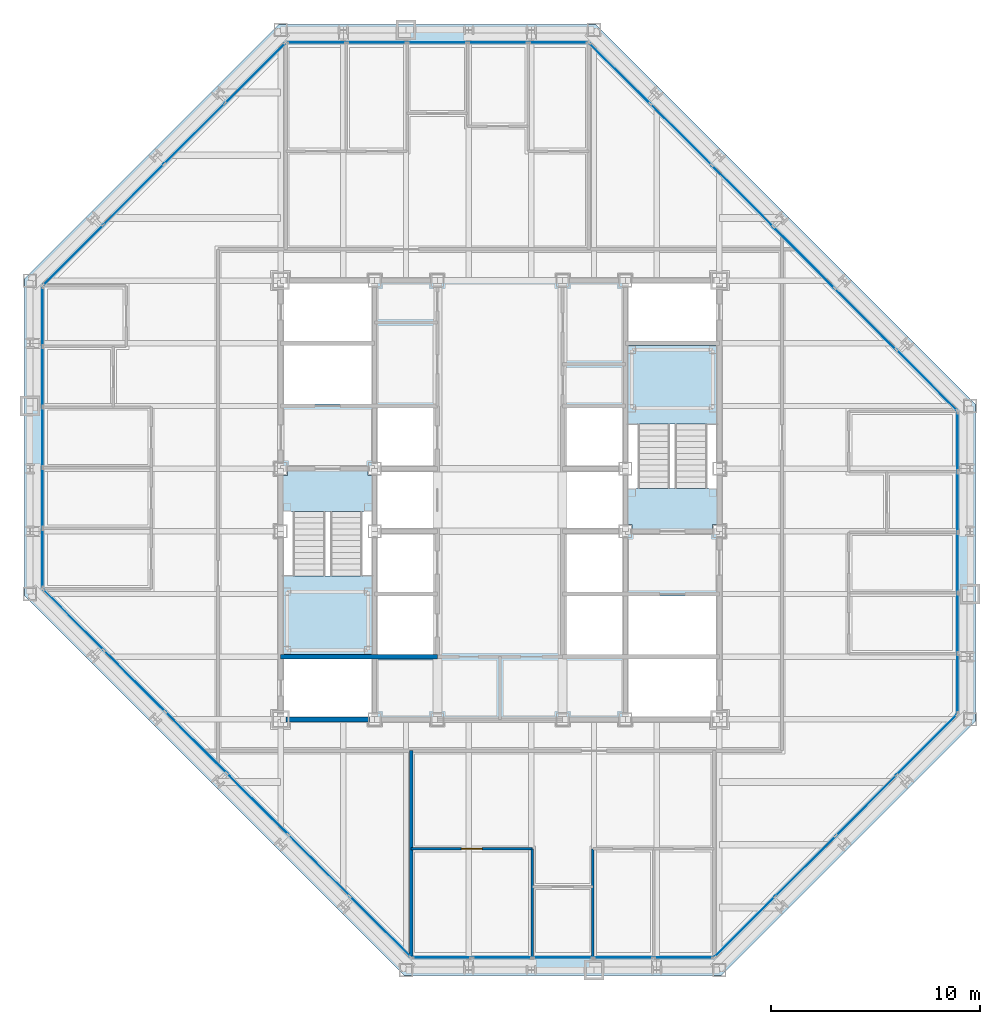
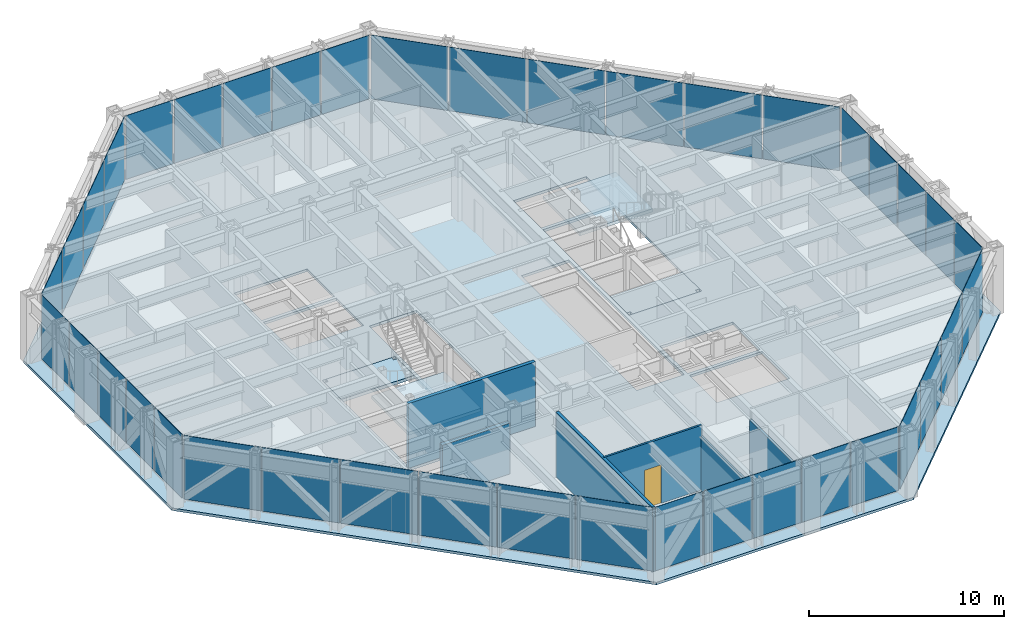
# One storey, part 9 of 15: 40 plates, 6 walls, 5 slabs, 1 door, 1 opening, 10 elements without a shape of their own.
"""IFC4 building model written with IfcOpenShell, lengths in metres."""

from ifc_helpers import new_model, si_unit, direction, frame, frame_2d, origin, origin_2d, place, context, subcontext, project, spatial, polyline, rectangle, outline, extrude, material, layer, layer_set, type_object, element, fill, aggregate, save


model = new_model("IFC4")

# Units and contexts
model_context = context("Model", 3, precision=1e-05, world=origin(), true_north=direction((0.0, 1.0)))
body_context = subcontext(model_context, "Body", "Model", "MODEL_VIEW")
ifc_project = project(units=[si_unit("LENGTHUNIT", "METRE"), si_unit("AREAUNIT", "SQUARE_METRE"), si_unit("VOLUMEUNIT", "CUBIC_METRE"), si_unit("PLANEANGLEUNIT", "RADIAN"), si_unit("MASSUNIT", "GRAM", prefix="KILO")], contexts=[model_context])

# Site, building, storey
site_placement = place(None, origin())
site = spatial("IfcSite", under=ifc_project, at=site_placement, CompositionType="ELEMENT")
building_placement = place(site_placement, origin())
building = spatial("IfcBuilding", under=site, at=building_placement, Name="Chuquiago Exchange Tower", CompositionType="ELEMENT")
storey_placement = place(building_placement, frame((0.0, 0.0, 197.10009765625)))
storey = spatial("IfcBuildingStorey", under=building, at=storey_placement, Name="L43", CompositionType="ELEMENT", Elevation=197.10009765625)

# Curtain wall, plate
ifc_material_1 = material(Name="Aluminium curtain wall system", Category="aluminium")
ifc_layer_1 = layer(ifc_material_1, 0.22509765625)
ifc_layer_set_1 = layer_set([ifc_layer_1], Name="CW2 office curtain wall")
curtain_wall_type_1 = type_object("IfcCurtainWallType", Name="CW2 office curtain wall", PredefinedType="NOTDEFINED", material=ifc_layer_set_1)
curtain_wall_1_placement = place(storey_placement, origin())
curtain_wall_1 = element("IfcCurtainWall", 1, at=curtain_wall_1_placement, inside=storey, type_object=curtain_wall_type_1, Name="CW2 curtain wall L43", PredefinedType="NOTDEFINED")
ifc_material_2 = material(Name="Glass, insulating unit", Category="glass")
ifc_layer_2 = layer(ifc_material_2, 0.030029296875)
ifc_layer_set_2 = layer_set([ifc_layer_2], Name="CW2-P panel 30")
plate_type_1 = type_object("IfcPlateType", Name="CW2-P panel 30", PredefinedType="CURTAIN_PANEL", material=ifc_layer_set_2)
plate_1_placement = place(storey_placement, frame((25.5, 0.60009765625, 0.06494140625), z_axis=(0.0, 0.0, 1.0), x_axis=(1.0, 0.0, 0.0)))
plate_1 = element("IfcPlate", 2, at=plate_1_placement, type_object=plate_type_1, Name="CW2 panel 3.1", PredefinedType="CURTAIN_PANEL", context=body_context, shape_type="SweptSolid", body=[
    extrude(rectangle(XDim=2.835693359375, YDim=0.030029296875, at=origin_2d()), origin(), (0.0, 0.0, 1.0), 3.97509765625),
])

curtain_wall_2_placement = place(storey_placement, origin())
curtain_wall_2 = element("IfcCurtainWall", 3, at=curtain_wall_2_placement, inside=storey, type_object=curtain_wall_type_1, Name="CW2 curtain wall L43", PredefinedType="NOTDEFINED")
plate_2_placement = place(storey_placement, frame((44.39990234375, 19.5, 0.06494140625), z_axis=(0.0, 0.0, 1.0), x_axis=(0.0, 1.0, 0.0)))
plate_2 = element("IfcPlate", 4, at=plate_2_placement, type_object=plate_type_1, Name="CW2 panel 3.1", PredefinedType="CURTAIN_PANEL", context=body_context, shape_type="SweptSolid", body=[
    extrude(rectangle(XDim=2.835693359375, YDim=0.030029296875, at=origin_2d()), origin(), (0.0, 0.0, 1.0), 3.97509765625),
])

curtain_wall_3_placement = place(storey_placement, origin())
curtain_wall_3 = element("IfcCurtainWall", 5, at=curtain_wall_3_placement, inside=storey, type_object=curtain_wall_type_1, Name="CW2 curtain wall L43", PredefinedType="NOTDEFINED")
plate_3_placement = place(storey_placement, frame((19.5, 44.39990234375, 0.06494140625), z_axis=(0.0, 0.0, 1.0), x_axis=(-1.0, 0.0, 0.0)))
plate_3 = element("IfcPlate", 6, at=plate_3_placement, type_object=plate_type_1, Name="CW2 panel 3.1", PredefinedType="CURTAIN_PANEL", context=body_context, shape_type="SweptSolid", body=[
    extrude(rectangle(XDim=2.835693359375, YDim=0.030029296875, at=origin_2d()), origin(), (0.0, 0.0, 1.0), 3.97509765625),
])

curtain_wall_4_placement = place(storey_placement, origin())
curtain_wall_4 = element("IfcCurtainWall", 7, at=curtain_wall_4_placement, inside=storey, type_object=curtain_wall_type_1, Name="CW2 curtain wall L43", PredefinedType="NOTDEFINED")
plate_4_placement = place(storey_placement, frame((0.60009765625, 25.5, 0.06494140625), z_axis=(0.0, 0.0, 1.0), x_axis=(0.0, -1.0, 0.0)))
plate_4 = element("IfcPlate", 8, at=plate_4_placement, type_object=plate_type_1, Name="CW2 panel 3.1", PredefinedType="CURTAIN_PANEL", context=body_context, shape_type="SweptSolid", body=[
    extrude(rectangle(XDim=2.835693359375, YDim=0.030029296875, at=origin_2d()), origin(), (0.0, 0.0, 1.0), 3.97509765625),
])

# Plate
ifc_material_3 = material(Name="Insulated spandrel panel, pale anodised aluminium", Category="aluminium")
ifc_layer_3 = layer(ifc_material_3, 0.030029296875)
ifc_layer_set_3 = layer_set([ifc_layer_3], Name="CW2-P spandrel panel 30")
plate_type_2 = type_object("IfcPlateType", Name="CW2-P spandrel panel 30", PredefinedType="CURTAIN_PANEL", material=ifc_layer_set_3)
plate_5_placement = place(storey_placement, frame((19.715087890625, 0.60009765625, 0.06494140625), z_axis=(0.0, 0.0, 1.0), x_axis=(1.0, 0.0, 0.0)))
plate_5 = element("IfcPlate", 9, at=plate_5_placement, type_object=plate_type_2, Name="CW2 panel 1.1", PredefinedType="CURTAIN_PANEL", context=body_context, shape_type="SweptSolid", body=[
    extrude(rectangle(XDim=2.802978515625, YDim=0.030029296875, at=origin_2d()), origin(), (0.0, 0.0, 1.0), 3.97509765625),
])

plate_6_placement = place(storey_placement, frame((22.599365234375, 0.60009765625, 0.06494140625), z_axis=(0.0, 0.0, 1.0), x_axis=(1.0, 0.0, 0.0)))
plate_6 = element("IfcPlate", 10, at=plate_6_placement, type_object=plate_type_2, Name="CW2 panel 2.1", PredefinedType="CURTAIN_PANEL", context=body_context, shape_type="SweptSolid", body=[
    extrude(rectangle(XDim=2.835693359375, YDim=0.030029296875, at=origin_2d()), origin(), (0.0, 0.0, 1.0), 3.97509765625),
])

plate_7_placement = place(storey_placement, frame((28.400634765625, 0.60009765625, 0.06494140625), z_axis=(0.0, 0.0, 1.0), x_axis=(1.0, 0.0, 0.0)))
plate_7 = element("IfcPlate", 11, at=plate_7_placement, type_object=plate_type_2, Name="CW2 panel 4.1", PredefinedType="CURTAIN_PANEL", context=body_context, shape_type="SweptSolid", body=[
    extrude(rectangle(XDim=2.835693359375, YDim=0.030029296875, at=origin_2d()), origin(), (0.0, 0.0, 1.0), 3.97509765625),
])

plate_8_placement = place(storey_placement, frame((31.284912109375, 0.60009765625, 0.06494140625), z_axis=(0.0, 0.0, 1.0), x_axis=(1.0, 0.0, 0.0)))
plate_8 = element("IfcPlate", 12, at=plate_8_placement, type_object=plate_type_2, Name="CW2 panel 5.1", PredefinedType="CURTAIN_PANEL", context=body_context, shape_type="SweptSolid", body=[
    extrude(rectangle(XDim=2.802978515625, YDim=0.030029296875, at=origin_2d()), origin(), (0.0, 0.0, 1.0), 3.97509765625),
])

aggregate(curtain_wall_1, [plate_5, plate_6, plate_1, plate_7, plate_8])

plate_9_placement = place(storey_placement, frame((44.39990234375, 13.715087890625, 0.06494140625), z_axis=(0.0, 0.0, 1.0), x_axis=(0.0, 1.0, 0.0)))
plate_9 = element("IfcPlate", 13, at=plate_9_placement, type_object=plate_type_2, Name="CW2 panel 1.1", PredefinedType="CURTAIN_PANEL", context=body_context, shape_type="SweptSolid", body=[
    extrude(rectangle(XDim=2.802978515625, YDim=0.030029296875, at=origin_2d()), origin(), (0.0, 0.0, 1.0), 3.97509765625),
])

plate_10_placement = place(storey_placement, frame((44.39990234375, 16.599365234375, 0.06494140625), z_axis=(0.0, 0.0, 1.0), x_axis=(0.0, 1.0, 0.0)))
plate_10 = element("IfcPlate", 14, at=plate_10_placement, type_object=plate_type_2, Name="CW2 panel 2.1", PredefinedType="CURTAIN_PANEL", context=body_context, shape_type="SweptSolid", body=[
    extrude(rectangle(XDim=2.835693359375, YDim=0.030029296875, at=origin_2d()), origin(), (0.0, 0.0, 1.0), 3.97509765625),
])

plate_11_placement = place(storey_placement, frame((44.39990234375, 22.400634765625, 0.06494140625), z_axis=(0.0, 0.0, 1.0), x_axis=(0.0, 1.0, 0.0)))
plate_11 = element("IfcPlate", 15, at=plate_11_placement, type_object=plate_type_2, Name="CW2 panel 4.1", PredefinedType="CURTAIN_PANEL", context=body_context, shape_type="SweptSolid", body=[
    extrude(rectangle(XDim=2.835693359375, YDim=0.030029296875, at=origin_2d()), origin(), (0.0, 0.0, 1.0), 3.97509765625),
])

plate_12_placement = place(storey_placement, frame((44.39990234375, 25.284912109375, 0.06494140625), z_axis=(0.0, 0.0, 1.0), x_axis=(0.0, 1.0, 0.0)))
plate_12 = element("IfcPlate", 16, at=plate_12_placement, type_object=plate_type_2, Name="CW2 panel 5.1", PredefinedType="CURTAIN_PANEL", context=body_context, shape_type="SweptSolid", body=[
    extrude(rectangle(XDim=2.802978515625, YDim=0.030029296875, at=origin_2d()), origin(), (0.0, 0.0, 1.0), 3.97509765625),
])

aggregate(curtain_wall_2, [plate_9, plate_10, plate_2, plate_11, plate_12])

plate_13_placement = place(storey_placement, frame((25.284912109375, 44.39990234375, 0.06494140625), z_axis=(0.0, 0.0, 1.0), x_axis=(-1.0, 0.0, 0.0)))
plate_13 = element("IfcPlate", 17, at=plate_13_placement, type_object=plate_type_2, Name="CW2 panel 1.1", PredefinedType="CURTAIN_PANEL", context=body_context, shape_type="SweptSolid", body=[
    extrude(rectangle(XDim=2.802978515625, YDim=0.030029296875, at=origin_2d()), origin(), (0.0, 0.0, 1.0), 3.97509765625),
])

plate_14_placement = place(storey_placement, frame((22.400634765625, 44.39990234375, 0.06494140625), z_axis=(0.0, 0.0, 1.0), x_axis=(-1.0, 0.0, 0.0)))
plate_14 = element("IfcPlate", 18, at=plate_14_placement, type_object=plate_type_2, Name="CW2 panel 2.1", PredefinedType="CURTAIN_PANEL", context=body_context, shape_type="SweptSolid", body=[
    extrude(rectangle(XDim=2.835693359375, YDim=0.030029296875, at=origin_2d()), origin(), (0.0, 0.0, 1.0), 3.97509765625),
])

plate_15_placement = place(storey_placement, frame((16.599365234375, 44.39990234375, 0.06494140625), z_axis=(0.0, 0.0, 1.0), x_axis=(-1.0, 0.0, 0.0)))
plate_15 = element("IfcPlate", 19, at=plate_15_placement, type_object=plate_type_2, Name="CW2 panel 4.1", PredefinedType="CURTAIN_PANEL", context=body_context, shape_type="SweptSolid", body=[
    extrude(rectangle(XDim=2.835693359375, YDim=0.030029296875, at=origin_2d()), origin(), (0.0, 0.0, 1.0), 3.97509765625),
])

plate_16_placement = place(storey_placement, frame((13.715087890625, 44.39990234375, 0.06494140625), z_axis=(0.0, 0.0, 1.0), x_axis=(-1.0, 0.0, 0.0)))
plate_16 = element("IfcPlate", 20, at=plate_16_placement, type_object=plate_type_2, Name="CW2 panel 5.1", PredefinedType="CURTAIN_PANEL", context=body_context, shape_type="SweptSolid", body=[
    extrude(rectangle(XDim=2.802978515625, YDim=0.030029296875, at=origin_2d()), origin(), (0.0, 0.0, 1.0), 3.97509765625),
])

aggregate(curtain_wall_3, [plate_13, plate_14, plate_3, plate_15, plate_16])

plate_17_placement = place(storey_placement, frame((0.60009765625, 31.284912109375, 0.06494140625), z_axis=(0.0, 0.0, 1.0), x_axis=(0.0, -1.0, 0.0)))
plate_17 = element("IfcPlate", 21, at=plate_17_placement, type_object=plate_type_2, Name="CW2 panel 1.1", PredefinedType="CURTAIN_PANEL", context=body_context, shape_type="SweptSolid", body=[
    extrude(rectangle(XDim=2.802978515625, YDim=0.030029296875, at=origin_2d()), origin(), (0.0, 0.0, 1.0), 3.97509765625),
])

plate_18_placement = place(storey_placement, frame((0.60009765625, 28.400634765625, 0.06494140625), z_axis=(0.0, 0.0, 1.0), x_axis=(0.0, -1.0, 0.0)))
plate_18 = element("IfcPlate", 22, at=plate_18_placement, type_object=plate_type_2, Name="CW2 panel 2.1", PredefinedType="CURTAIN_PANEL", context=body_context, shape_type="SweptSolid", body=[
    extrude(rectangle(XDim=2.835693359375, YDim=0.030029296875, at=origin_2d()), origin(), (0.0, 0.0, 1.0), 3.97509765625),
])

plate_19_placement = place(storey_placement, frame((0.60009765625, 22.599365234375, 0.06494140625), z_axis=(0.0, 0.0, 1.0), x_axis=(0.0, -1.0, 0.0)))
plate_19 = element("IfcPlate", 23, at=plate_19_placement, type_object=plate_type_2, Name="CW2 panel 4.1", PredefinedType="CURTAIN_PANEL", context=body_context, shape_type="SweptSolid", body=[
    extrude(rectangle(XDim=2.835693359375, YDim=0.030029296875, at=origin_2d()), origin(), (0.0, 0.0, 1.0), 3.97509765625),
])

plate_20_placement = place(storey_placement, frame((0.60009765625, 19.715087890625, 0.06494140625), z_axis=(0.0, 0.0, 1.0), x_axis=(0.0, -1.0, 0.0)))
plate_20 = element("IfcPlate", 24, at=plate_20_placement, type_object=plate_type_2, Name="CW2 panel 5.1", PredefinedType="CURTAIN_PANEL", context=body_context, shape_type="SweptSolid", body=[
    extrude(rectangle(XDim=2.802978515625, YDim=0.030029296875, at=origin_2d()), origin(), (0.0, 0.0, 1.0), 3.97509765625),
])

aggregate(curtain_wall_4, [plate_17, plate_18, plate_4, plate_19, plate_20])

# Curtain wall, plates
ifc_material_4 = material(Name="Aluminium curtain wall system", Category="aluminium")
ifc_layer_4 = layer(ifc_material_4, 0.199951171875)
ifc_layer_set_4 = layer_set([ifc_layer_4], Name="CW3 facet curtain wall")
curtain_wall_type_2 = type_object("IfcCurtainWallType", Name="CW3 facet curtain wall", PredefinedType="NOTDEFINED", material=ifc_layer_set_4)
curtain_wall_5_placement = place(storey_placement, origin())
curtain_wall_5 = element("IfcCurtainWall", 25, at=curtain_wall_5_placement, inside=storey, type_object=curtain_wall_type_2, Name="CW3 curtain wall L43", PredefinedType="NOTDEFINED")
ifc_material_5 = material(Name="Insulated spandrel panel, pale anodised aluminium", Category="aluminium")
ifc_layer_5 = layer(ifc_material_5, 0.030029296875)
ifc_layer_set_5 = layer_set([ifc_layer_5], Name="CW3-P spandrel panel 30")
plate_type_3 = type_object("IfcPlateType", Name="CW3-P spandrel panel 30", PredefinedType="CURTAIN_PANEL", material=ifc_layer_set_5)
plate_21_placement = place(storey_placement, frame((34.218994140625, 2.067626953125, 0.06494140625), z_axis=(0.0, 0.0, 1.0), x_axis=(0.707106781187, 0.707106781187, 0.0)))
plate_21 = element("IfcPlate", 26, at=plate_21_placement, type_object=plate_type_3, Name="CW3 panel 1.1", PredefinedType="CURTAIN_PANEL", context=body_context, shape_type="SweptSolid", body=[
    extrude(rectangle(XDim=4.020751953125, YDim=0.030029296875, at=origin_2d()), origin(), (0.0, 0.0, 1.0), 3.97509765625),
])
plate_22_placement = place(storey_placement, frame((37.11962890625, 4.96826171875, 0.06494140625), z_axis=(0.0, 0.0, 1.0), x_axis=(0.707106781187, 0.707106781187, 0.0)))
plate_22 = element("IfcPlate", 27, at=plate_22_placement, type_object=plate_type_3, Name="CW3 panel 2.1", PredefinedType="CURTAIN_PANEL", context=body_context, shape_type="SweptSolid", body=[
    extrude(rectangle(XDim=4.053466796875, YDim=0.030029296875, at=origin_2d()), origin(), (0.0, 0.0, 1.0), 3.97509765625),
])
plate_23_placement = place(storey_placement, frame((40.03173828125, 7.88037109375, 0.06494140625), z_axis=(0.0, 0.0, 1.0), x_axis=(0.707106781187, 0.707106781187, 0.0)))
plate_23 = element("IfcPlate", 28, at=plate_23_placement, type_object=plate_type_3, Name="CW3 panel 3.1", PredefinedType="CURTAIN_PANEL", context=body_context, shape_type="SweptSolid", body=[
    extrude(rectangle(XDim=4.053466796875, YDim=0.030029296875, at=origin_2d()), origin(), (0.0, 0.0, 1.0), 3.97509765625),
])
plate_24_placement = place(storey_placement, frame((42.932373046875, 10.781005859375, 0.06494140625), z_axis=(0.0, 0.0, 1.0), x_axis=(0.707106781187, 0.707106781187, 0.0)))
plate_24 = element("IfcPlate", 29, at=plate_24_placement, type_object=plate_type_3, Name="CW3 panel 4.1", PredefinedType="CURTAIN_PANEL", context=body_context, shape_type="SweptSolid", body=[
    extrude(rectangle(XDim=4.020751953125, YDim=0.030029296875, at=origin_2d()), origin(), (0.0, 0.0, 1.0), 3.97509765625),
])
aggregate(curtain_wall_5, [plate_21, plate_22, plate_23, plate_24])

curtain_wall_6_placement = place(storey_placement, origin())
curtain_wall_6 = element("IfcCurtainWall", 30, at=curtain_wall_6_placement, inside=storey, type_object=curtain_wall_type_2, Name="CW3 curtain wall L43", PredefinedType="NOTDEFINED")
plate_25_placement = place(storey_placement, frame((42.917724609375, 28.233642578125, 0.06494140625), z_axis=(0.0, 0.0, 1.0), x_axis=(-0.707106781187, 0.707106781187, 0.0)))
plate_25 = element("IfcPlate", 31, at=plate_25_placement, type_object=plate_type_3, Name="CW3 panel 1.1", PredefinedType="CURTAIN_PANEL", context=body_context, shape_type="SweptSolid", body=[
    extrude(rectangle(XDim=4.062255859375, YDim=0.030029296875, at=origin_2d()), origin(), (0.0, 0.0, 1.0), 3.97509765625),
])
plate_26_placement = place(storey_placement, frame((39.98779296875, 31.16357421875, 0.06494140625), z_axis=(0.0, 0.0, 1.0), x_axis=(-0.707106781187, 0.707106781187, 0.0)))
plate_26 = element("IfcPlate", 32, at=plate_26_placement, type_object=plate_type_3, Name="CW3 panel 2.1", PredefinedType="CURTAIN_PANEL", context=body_context, shape_type="SweptSolid", body=[
    extrude(rectangle(XDim=4.0947265625, YDim=0.030029296875, at=origin_2d()), origin(), (0.0, 0.0, 1.0), 3.97509765625),
])
plate_27_placement = place(storey_placement, frame((37.04638671875, 34.10498046875, 0.06494140625), z_axis=(0.0, 0.0, 1.0), x_axis=(-0.707106781187, 0.707106781187, 0.0)))
plate_27 = element("IfcPlate", 33, at=plate_27_placement, type_object=plate_type_3, Name="CW3 panel 3.1", PredefinedType="CURTAIN_PANEL", context=body_context, shape_type="SweptSolid", body=[
    extrude(rectangle(XDim=4.0947265625, YDim=0.030029296875, at=origin_2d()), origin(), (0.0, 0.0, 1.0), 3.97509765625),
])
plate_28_placement = place(storey_placement, frame((34.10498046875, 37.04638671875, 0.06494140625), z_axis=(0.0, 0.0, 1.0), x_axis=(-0.707106781187, 0.707106781187, 0.0)))
plate_28 = element("IfcPlate", 34, at=plate_28_placement, type_object=plate_type_3, Name="CW3 panel 4.1", PredefinedType="CURTAIN_PANEL", context=body_context, shape_type="SweptSolid", body=[
    extrude(rectangle(XDim=4.0947265625, YDim=0.030029296875, at=origin_2d()), origin(), (0.0, 0.0, 1.0), 3.97509765625),
])
plate_29_placement = place(storey_placement, frame((31.16357421875, 39.98779296875, 0.06494140625), z_axis=(0.0, 0.0, 1.0), x_axis=(-0.707106781187, 0.707106781187, 0.0)))
plate_29 = element("IfcPlate", 35, at=plate_29_placement, type_object=plate_type_3, Name="CW3 panel 5.1", PredefinedType="CURTAIN_PANEL", context=body_context, shape_type="SweptSolid", body=[
    extrude(rectangle(XDim=4.0947265625, YDim=0.030029296875, at=origin_2d()), origin(), (0.0, 0.0, 1.0), 3.97509765625),
])
plate_30_placement = place(storey_placement, frame((28.233642578125, 42.917724609375, 0.06494140625), z_axis=(0.0, 0.0, 1.0), x_axis=(-0.707106781187, 0.707106781187, 0.0)))
plate_30 = element("IfcPlate", 36, at=plate_30_placement, type_object=plate_type_3, Name="CW3 panel 6.1", PredefinedType="CURTAIN_PANEL", context=body_context, shape_type="SweptSolid", body=[
    extrude(rectangle(XDim=4.062255859375, YDim=0.030029296875, at=origin_2d()), origin(), (0.0, 0.0, 1.0), 3.97509765625),
])
aggregate(curtain_wall_6, [plate_25, plate_26, plate_27, plate_28, plate_29, plate_30])

curtain_wall_7_placement = place(storey_placement, origin())
curtain_wall_7 = element("IfcCurtainWall", 37, at=curtain_wall_7_placement, inside=storey, type_object=curtain_wall_type_2, Name="CW3 curtain wall L43", PredefinedType="NOTDEFINED")
plate_31_placement = place(storey_placement, frame((10.781005859375, 42.932373046875, 0.06494140625), z_axis=(0.0, 0.0, 1.0), x_axis=(-0.707106781187, -0.707106781187, 0.0)))
plate_31 = element("IfcPlate", 38, at=plate_31_placement, type_object=plate_type_3, Name="CW3 panel 1.1", PredefinedType="CURTAIN_PANEL", context=body_context, shape_type="SweptSolid", body=[
    extrude(rectangle(XDim=4.020751953125, YDim=0.030029296875, at=origin_2d()), origin(), (0.0, 0.0, 1.0), 3.97509765625),
])
plate_32_placement = place(storey_placement, frame((7.88037109375, 40.03173828125, 0.06494140625), z_axis=(0.0, 0.0, 1.0), x_axis=(-0.707106781187, -0.707106781187, 0.0)))
plate_32 = element("IfcPlate", 39, at=plate_32_placement, type_object=plate_type_3, Name="CW3 panel 2.1", PredefinedType="CURTAIN_PANEL", context=body_context, shape_type="SweptSolid", body=[
    extrude(rectangle(XDim=4.053466796875, YDim=0.030029296875, at=origin_2d()), origin(), (0.0, 0.0, 1.0), 3.97509765625),
])
plate_33_placement = place(storey_placement, frame((4.96826171875, 37.11962890625, 0.06494140625), z_axis=(0.0, 0.0, 1.0), x_axis=(-0.707106781187, -0.707106781187, 0.0)))
plate_33 = element("IfcPlate", 40, at=plate_33_placement, type_object=plate_type_3, Name="CW3 panel 3.1", PredefinedType="CURTAIN_PANEL", context=body_context, shape_type="SweptSolid", body=[
    extrude(rectangle(XDim=4.053466796875, YDim=0.030029296875, at=origin_2d()), origin(), (0.0, 0.0, 1.0), 3.97509765625),
])
plate_34_placement = place(storey_placement, frame((2.067626953125, 34.218994140625, 0.06494140625), z_axis=(0.0, 0.0, 1.0), x_axis=(-0.707106781187, -0.707106781187, 0.0)))
plate_34 = element("IfcPlate", 41, at=plate_34_placement, type_object=plate_type_3, Name="CW3 panel 4.1", PredefinedType="CURTAIN_PANEL", context=body_context, shape_type="SweptSolid", body=[
    extrude(rectangle(XDim=4.020751953125, YDim=0.030029296875, at=origin_2d()), origin(), (0.0, 0.0, 1.0), 3.97509765625),
])
aggregate(curtain_wall_7, [plate_31, plate_32, plate_33, plate_34])

curtain_wall_8_placement = place(storey_placement, origin())
curtain_wall_8 = element("IfcCurtainWall", 42, at=curtain_wall_8_placement, inside=storey, type_object=curtain_wall_type_2, Name="CW3 curtain wall L43", PredefinedType="NOTDEFINED")
plate_35_placement = place(storey_placement, frame((2.082275390625, 16.766357421875, 0.06494140625), z_axis=(0.0, 0.0, 1.0), x_axis=(0.707106781187, -0.707106781187, 0.0)))
plate_35 = element("IfcPlate", 43, at=plate_35_placement, type_object=plate_type_3, Name="CW3 panel 1.1", PredefinedType="CURTAIN_PANEL", context=body_context, shape_type="SweptSolid", body=[
    extrude(rectangle(XDim=4.062255859375, YDim=0.030029296875, at=origin_2d()), origin(), (0.0, 0.0, 1.0), 3.97509765625),
])
plate_36_placement = place(storey_placement, frame((5.01220703125, 13.83642578125, 0.06494140625), z_axis=(0.0, 0.0, 1.0), x_axis=(0.707106781187, -0.707106781187, 0.0)))
plate_36 = element("IfcPlate", 44, at=plate_36_placement, type_object=plate_type_3, Name="CW3 panel 2.1", PredefinedType="CURTAIN_PANEL", context=body_context, shape_type="SweptSolid", body=[
    extrude(rectangle(XDim=4.0947265625, YDim=0.030029296875, at=origin_2d()), origin(), (0.0, 0.0, 1.0), 3.97509765625),
])
plate_37_placement = place(storey_placement, frame((7.95361328125, 10.89501953125, 0.06494140625), z_axis=(0.0, 0.0, 1.0), x_axis=(0.707106781187, -0.707106781187, 0.0)))
plate_37 = element("IfcPlate", 45, at=plate_37_placement, type_object=plate_type_3, Name="CW3 panel 3.1", PredefinedType="CURTAIN_PANEL", context=body_context, shape_type="SweptSolid", body=[
    extrude(rectangle(XDim=4.0947265625, YDim=0.030029296875, at=origin_2d()), origin(), (0.0, 0.0, 1.0), 3.97509765625),
])
plate_38_placement = place(storey_placement, frame((10.89501953125, 7.95361328125, 0.06494140625), z_axis=(0.0, 0.0, 1.0), x_axis=(0.707106781187, -0.707106781187, 0.0)))
plate_38 = element("IfcPlate", 46, at=plate_38_placement, type_object=plate_type_3, Name="CW3 panel 4.1", PredefinedType="CURTAIN_PANEL", context=body_context, shape_type="SweptSolid", body=[
    extrude(rectangle(XDim=4.0947265625, YDim=0.030029296875, at=origin_2d()), origin(), (0.0, 0.0, 1.0), 3.97509765625),
])
plate_39_placement = place(storey_placement, frame((13.83642578125, 5.01220703125, 0.06494140625), z_axis=(0.0, 0.0, 1.0), x_axis=(0.707106781187, -0.707106781187, 0.0)))
plate_39 = element("IfcPlate", 47, at=plate_39_placement, type_object=plate_type_3, Name="CW3 panel 5.1", PredefinedType="CURTAIN_PANEL", context=body_context, shape_type="SweptSolid", body=[
    extrude(rectangle(XDim=4.0947265625, YDim=0.030029296875, at=origin_2d()), origin(), (0.0, 0.0, 1.0), 3.97509765625),
])
plate_40_placement = place(storey_placement, frame((16.766357421875, 2.082275390625, 0.06494140625), z_axis=(0.0, 0.0, 1.0), x_axis=(0.707106781187, -0.707106781187, 0.0)))
plate_40 = element("IfcPlate", 48, at=plate_40_placement, type_object=plate_type_3, Name="CW3 panel 6.1", PredefinedType="CURTAIN_PANEL", context=body_context, shape_type="SweptSolid", body=[
    extrude(rectangle(XDim=4.062255859375, YDim=0.030029296875, at=origin_2d()), origin(), (0.0, 0.0, 1.0), 3.97509765625),
])
aggregate(curtain_wall_8, [plate_35, plate_36, plate_37, plate_38, plate_39, plate_40])

# Slab
ifc_material_6 = material(Name="Concrete C30/37", Category="concrete")
ifc_layer_6 = layer(ifc_material_6, 0.159912109375)
ifc_layer_set_6 = layer_set([ifc_layer_6], Name="FS1 composite floor 160")
slab_type_1 = type_object("IfcSlabType", Name="FS1 composite floor 160", PredefinedType="FLOOR", material=ifc_layer_set_6)
slab_1_placement = place(storey_placement, frame((0.0, 0.0, -0.16015625)))
element("IfcSlab", 49, at=slab_1_placement, inside=storey, type_object=slab_type_1, Name="L43 floor slab", PredefinedType="FLOOR", context=body_context, shape_type="SweptSolid", body=[
    extrude(outline(polyline([(17.896484375, -0.25), (-0.25, 17.896484375), (-0.25, 33.103515625), (11.896484375, 45.25), (27.103515625, 45.25), (45.25, 27.103515625), (45.25, 11.896484375), (33.103515625, -0.25), (17.896484375, -0.25)]), holes=[polyline([(16.39990234375, 15.10009765625), (12.10009765625, 15.10009765625), (12.10009765625, 23.89990234375), (16.39990234375, 23.89990234375), (16.39990234375, 15.10009765625)]), polyline([(32.89990234375, 21.10009765625), (28.60009765625, 21.10009765625), (28.60009765625, 29.89990234375), (32.89990234375, 29.89990234375), (32.89990234375, 21.10009765625)]), polyline([(16.39990234375, 12.10009765625), (12.10009765625, 12.10009765625), (12.10009765625, 14.89990234375), (16.39990234375, 14.89990234375), (16.39990234375, 12.10009765625)]), polyline([(16.39990234375, 30.10009765625), (12.10009765625, 30.10009765625), (12.10009765625, 32.89990234375), (16.39990234375, 32.89990234375), (16.39990234375, 30.10009765625)]), polyline([(32.89990234375, 12.10009765625), (28.60009765625, 12.10009765625), (28.60009765625, 14.89990234375), (32.89990234375, 14.89990234375), (32.89990234375, 12.10009765625)]), polyline([(32.89990234375, 30.10009765625), (28.60009765625, 30.10009765625), (28.60009765625, 32.89990234375), (32.89990234375, 32.89990234375), (32.89990234375, 30.10009765625)]), polyline([(16.39990234375, 27.10009765625), (12.10009765625, 27.10009765625), (12.10009765625, 29.89990234375), (16.39990234375, 29.89990234375), (16.39990234375, 27.10009765625)]), polyline([(32.89990234375, 15.10009765625), (28.60009765625, 15.10009765625), (28.60009765625, 17.89990234375), (32.89990234375, 17.89990234375), (32.89990234375, 15.10009765625)]), polyline([(19.39990234375, 15.10009765625), (16.60009765625, 15.10009765625), (16.60009765625, 26.89990234375), (19.39990234375, 26.89990234375), (19.39990234375, 15.10009765625)]), polyline([(28.39990234375, 15.10009765625), (25.60009765625, 15.10009765625), (25.60009765625, 26.89990234375), (28.39990234375, 26.89990234375), (28.39990234375, 15.10009765625)])]), origin(), (0.0, 0.0, 1.0), 0.16015625),
])

# Stair, slabs
ifc_material_7 = material(Name="Concrete C30/37, precast", Category="concrete")
stair_type_1 = type_object("IfcStairType", Name="ST1 half-turn stair 4200", PredefinedType="HALF_TURN_STAIR", material=ifc_material_7)
stair_1_placement = place(storey_placement, origin())
stair_1 = element("IfcStair", 50, at=stair_1_placement, inside=storey, type_object=stair_type_1, Name="Stair ST1 L43", PredefinedType="HALF_TURN_STAIR")
ifc_material_8 = material(Name="Concrete C30/37, precast", Category="concrete")
ifc_layer_7 = layer(ifc_material_8, 0.199951171875)
ifc_layer_set_7 = layer_set([ifc_layer_7], Name="ST-L landing 200")
slab_type_2 = type_object("IfcSlabType", Name="ST-L landing 200", PredefinedType="LANDING", material=ifc_layer_set_7)
slab_2_placement = place(storey_placement, frame((0.0, 0.0, -0.2001953125)))
slab_2 = element("IfcSlab", 51, at=slab_2_placement, type_object=slab_type_2, Name="ST1 landing 1", PredefinedType="LANDING", context=body_context, shape_type="SweptSolid", body=[
    extrude(outline(polyline([(12.324951171875, 23.89990234375), (16.175048828125, 23.89990234375), (16.175048828125, 23.675048828125), (16.39990234375, 23.675048828125), (16.39990234375, 21.949951171875), (12.10009765625, 21.949951171875), (12.10009765625, 23.675048828125), (12.324951171875, 23.675048828125), (12.324951171875, 23.89990234375)])), origin(), (0.0, 0.0, 1.0), 0.2001953125),
])
slab_3_placement = place(storey_placement, frame((0.0, 0.0, 1.89990234375)))
slab_3 = element("IfcSlab", 52, at=slab_3_placement, type_object=slab_type_2, Name="ST1 landing 2", PredefinedType="LANDING", context=body_context, shape_type="SweptSolid", body=[
    extrude(outline(polyline([(12.10009765625, 18.8701171875), (16.39990234375, 18.8701171875), (16.39990234375, 15.10009765625), (12.10009765625, 15.10009765625), (12.10009765625, 18.8701171875)])), origin(), (0.0, 0.0, 1.0), 0.199951171875),
])
aggregate(stair_1, [slab_2, slab_3])

ifc_material_9 = material(Name="Concrete C30/37, precast", Category="concrete")
stair_type_2 = type_object("IfcStairType", Name="ST2 half-turn stair 4200", PredefinedType="HALF_TURN_STAIR", material=ifc_material_9)
stair_2_placement = place(storey_placement, origin())
stair_2 = element("IfcStair", 53, at=stair_2_placement, inside=storey, type_object=stair_type_2, Name="Stair ST2 L43", PredefinedType="HALF_TURN_STAIR")
slab_4_placement = place(storey_placement, frame((0.0, 0.0, -0.2001953125)))
slab_4 = element("IfcSlab", 54, at=slab_4_placement, type_object=slab_type_2, Name="ST2 landing 1", PredefinedType="LANDING", context=body_context, shape_type="SweptSolid", body=[
    extrude(outline(polyline([(32.675048828125, 21.324951171875), (32.675048828125, 21.10009765625), (28.824951171875, 21.10009765625), (28.824951171875, 21.324951171875), (28.60009765625, 21.324951171875), (28.60009765625, 23.050048828125), (32.89990234375, 23.050048828125), (32.89990234375, 21.324951171875), (32.675048828125, 21.324951171875)])), origin(), (0.0, 0.0, 1.0), 0.2001953125),
])
slab_5_placement = place(storey_placement, frame((0.0, 0.0, 1.89990234375)))
slab_5 = element("IfcSlab", 55, at=slab_5_placement, type_object=slab_type_2, Name="ST2 landing 2", PredefinedType="LANDING", context=body_context, shape_type="SweptSolid", body=[
    extrude(outline(polyline([(28.60009765625, 29.89990234375), (32.89990234375, 29.89990234375), (32.89990234375, 26.1298828125), (28.60009765625, 26.1298828125), (28.60009765625, 29.89990234375)])), origin(), (0.0, 0.0, 1.0), 0.199951171875),
])
aggregate(stair_2, [slab_4, slab_5])

# Walls
ifc_material_10 = material(Name="Concrete masonry, fully grouted", Category="masonry")
ifc_layer_8 = layer(ifc_material_10, 0.25)
ifc_layer_set_8 = layer_set([ifc_layer_8], Name="W1 core wall 250")
wall_type_1 = type_object("IfcWallType", Name="W1 core wall 250", PredefinedType="SOLIDWALL", material=ifc_layer_set_8)
wall_1_placement = place(storey_placement, frame((12.25, 12.0, 0.0), z_axis=(0.0, 0.0, 1.0), x_axis=(1.0, 0.0, 0.0)))
element("IfcWall", 56, at=wall_1_placement, inside=storey, type_object=wall_type_1, Name="CW-L43-01-0", PredefinedType="SOLIDWALL", context=body_context, shape_type="SweptSolid", body=[
    extrude(rectangle(XDim=4.0, YDim=0.25, at=frame_2d((2.0, 0.0))), origin(), (0.0, 0.0, 1.0), 3.181396484375),
])
ifc_material_11 = material(Name="Gypsum board on twin steel studs, acoustic insulation", Category="steel")
ifc_layer_9 = layer(ifc_material_11, 0.175048828125)
ifc_layer_set_9 = layer_set([ifc_layer_9], Name="W12 tenant demising wall 175")
wall_type_2 = type_object("IfcWallType", Name="W12 tenant demising wall 175", PredefinedType="PARTITIONING", material=ifc_layer_set_9)
wall_2_placement = place(storey_placement, frame((18.24853515625, 0.666015625, 0.0), z_axis=(0.0, 0.0, 1.0), x_axis=(0.0, 1.0, 0.0)))
element("IfcWall", 57, at=wall_2_placement, inside=storey, type_object=wall_type_2, Name="PW-L43-DS01825", PredefinedType="PARTITIONING", context=body_context, shape_type="SweptSolid", body=[
    extrude(rectangle(XDim=9.833984375, YDim=0.175048828125, at=frame_2d((4.9169921875, 0.0))), origin(), (0.0, 0.0, 1.0), 4.039794921875),
])
ifc_material_12 = material(Name="Concrete masonry, fully grouted", Category="masonry")
ifc_layer_10 = layer(ifc_material_12, 0.199951171875)
ifc_layer_set_10 = layer_set([ifc_layer_10], Name="W2 shaft wall 200")
wall_type_3 = type_object("IfcWallType", Name="W2 shaft wall 200", PredefinedType="SOLIDWALL", material=ifc_layer_set_10)
wall_3_placement = place(storey_placement, frame((12.0, 15.0, 0.0), z_axis=(0.0, 0.0, 1.0), x_axis=(1.0, 0.0, 0.0)))
element("IfcWall", 58, at=wall_3_placement, inside=storey, type_object=wall_type_3, Name="CW-L43-03-0", PredefinedType="SOLIDWALL", context=body_context, shape_type="SweptSolid", body=[
    extrude(rectangle(XDim=7.5, YDim=0.199951171875, at=frame_2d((3.75, 0.0))), origin(), (0.0, 0.0, 1.0), 4.039794921875),
])
ifc_material_13 = material(Name="Gypsum board on steel studs", Category="steel")
ifc_layer_11 = layer(ifc_material_13, 0.1201171875)
ifc_layer_set_11 = layer_set([ifc_layer_11], Name="W4 partition 120")
wall_type_4 = type_object("IfcWallType", Name="W4 partition 120", PredefinedType="PARTITIONING", material=ifc_layer_set_11)
for number, where, z_axis, x_axis, name in (
    (59, (24.0498046875, 0.652587890625, 0.0), (0.0, 0.0, 1.0), (0.0, 1.0, 0.0), "PW-L43-S02405"),
    (60, (26.9501953125, 0.652587890625, 0.0), (0.0, 0.0, 1.0), (0.0, 1.0, 0.0), "PW-L43-S02695"),
):
    element("IfcWall", number, at=place(storey_placement, frame(where, z_axis=z_axis, x_axis=x_axis)), inside=storey, type_object=wall_type_4, Name=name, PredefinedType="PARTITIONING", context=body_context, shape_type="SweptSolid", body=[
        extrude(rectangle(XDim=5.1474609375, YDim=0.1201171875, at=frame_2d((2.57373046875, 0.0))), origin(), (0.0, 0.0, 1.0), 3.356689453125),
    ])

# Wall, opening, door
wall_4_placement = place(storey_placement, frame((18.24853515625, 5.800048828125, 0.0), z_axis=(0.0, 0.0, 1.0), x_axis=(1.0, 0.0, 0.0)))
wall_4 = element("IfcWall", 61, at=wall_4_placement, inside=storey, type_object=wall_type_4, Name="PW-L43-SF01825", PredefinedType="PARTITIONING", context=body_context, shape_type="SweptSolid", body=[
    extrude(rectangle(XDim=5.80126953125, YDim=0.1201171875, at=frame_2d((2.900634765625, 0.0))), origin(), (0.0, 0.0, 1.0), 4.039794921875),
])
opening_placement = place(wall_4_placement, frame((2.400634765625, 0.0, 0.0)))
opening = element("IfcOpeningElement", 62, at=opening_placement, cuts=wall_4, Name="Opening L43-021", PredefinedType="OPENING", context=body_context, shape_type="SweptSolid", body=[
    extrude(rectangle(XDim=1.0, YDim=2.39990234375, at=frame_2d((0.5, 1.199951171875))), frame((0.0, 0.070068359375, 0.0), z_axis=(0.0, -1.0, 0.0), x_axis=(1.0, 0.0, 0.0)), (0.0, 0.0, 1.0), 0.14013671875),
])
ifc_material_14 = material(Name="Timber frame door, full height glazed panel", Category="wood")
door_type = type_object("IfcDoorType", Name="D14 glazed meeting room door 1000x2400", OperationType="SINGLE_SWING_LEFT", PredefinedType="DOOR", material=ifc_material_14)
door_placement = place(opening_placement, frame((1.0, 0.0, 0.0), z_axis=(0.0, 0.0, 1.0), x_axis=(-1.0, 0.0, 0.0)))
door = element("IfcDoor", 63, at=door_placement, inside=storey, type_object=door_type, Name="Meeting room door", OperationType="SINGLE_SWING_RIGHT", OverallHeight=2.39990234375, OverallWidth=1.0, PredefinedType="DOOR", context=body_context, shape_type="SweptSolid", body=[
    extrude(rectangle(XDim=1.0, YDim=2.39990234375, at=frame_2d((0.5, 1.199951171875))), frame((0.0, 0.02490234375, 0.0), z_axis=(0.0, -1.0, 0.0), x_axis=(1.0, 0.0, 0.0)), (0.0, 0.0, 1.0), 0.050048828125),
])
fill(opening, door)

save(model, "model.ifc")
